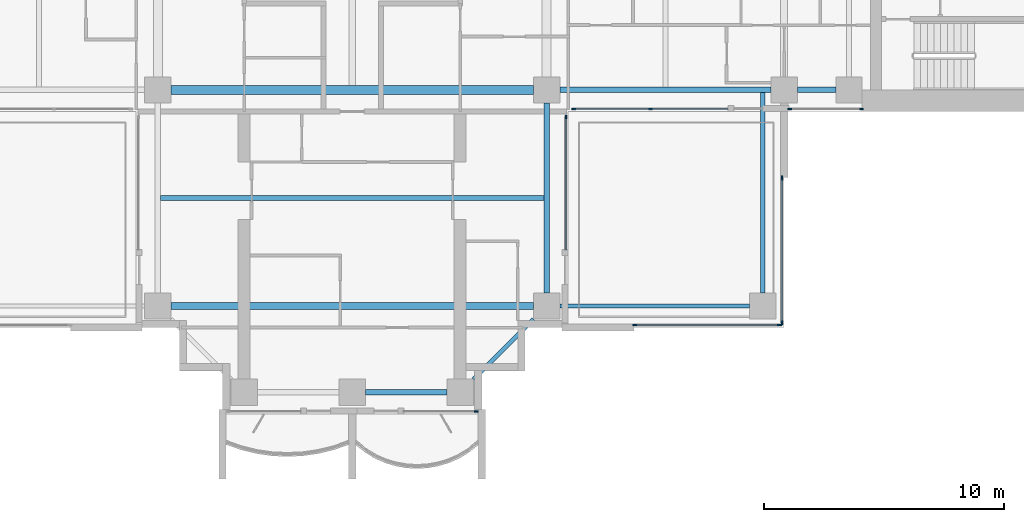
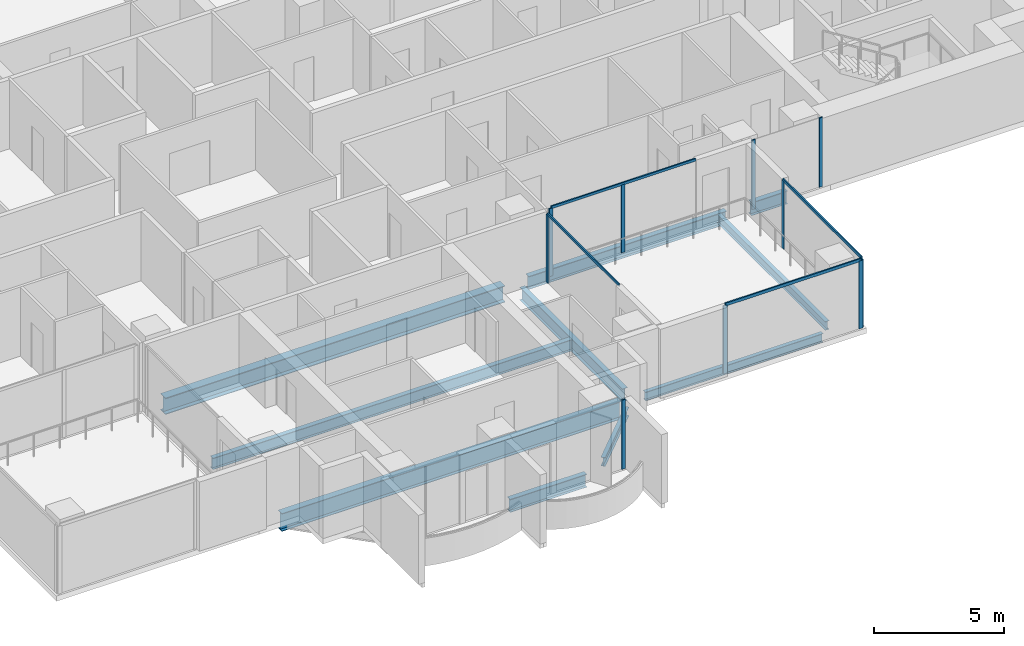
# One storey, part 3 of 19: 14 members, 10 beams, 6 elements without a shape of their own.
"""IFC4 building model written with IfcOpenShell, lengths in metres."""

from ifc_helpers import new_model, si_unit, direction, frame, origin, origin_2d, place, context, subcontext, project, spatial, rectangle, i_section, extrude, material, material_profile, profile_set, type_object, element, aggregate, save


model = new_model("IFC4")

# Units and contexts
model_context = context("Model", 3, precision=1e-05, world=origin(), true_north=direction((0.0, 1.0)))
body_context = subcontext(model_context, "Body", "Model", "MODEL_VIEW")
ifc_project = project(units=[si_unit("LENGTHUNIT", "METRE"), si_unit("AREAUNIT", "SQUARE_METRE"), si_unit("VOLUMEUNIT", "CUBIC_METRE"), si_unit("PLANEANGLEUNIT", "RADIAN"), si_unit("MASSUNIT", "GRAM", prefix="KILO")], contexts=[model_context])

# Site, building, storey
site_placement = place(None, origin())
site = spatial("IfcSite", under=ifc_project, at=site_placement, CompositionType="ELEMENT")
building_placement = place(site_placement, origin())
building = spatial("IfcBuilding", under=site, at=building_placement, Name="Perihelion Cross Residences", CompositionType="ELEMENT")
storey_placement = place(building_placement, frame((0.0, 0.0, 112.89990234375)))
storey = spatial("IfcBuildingStorey", under=building, at=storey_placement, Name="L26", CompositionType="ELEMENT", Elevation=112.89990234375)

# Curtain wall, member
ifc_material_1 = material(Name="Bronze anodised aluminium, tinted glazing", Category="aluminium")
curtain_wall_type_1 = type_object("IfcCurtainWallType", Name="CW1", PredefinedType="NOTDEFINED", material=ifc_material_1)
curtain_wall_1_placement = place(storey_placement, origin())
curtain_wall_1 = element("IfcCurtainWall", 1, at=curtain_wall_1_placement, inside=storey, type_object=curtain_wall_type_1, Name="Curtain wall CW1 L26 south tip south bay 2", PredefinedType="NOTDEFINED")
ifc_material_2 = material(Name="Bronze anodised aluminium", Category="aluminium")
ifc_material_profile_1 = material_profile(ifc_material_2, rectangle(XDim=0.06005859375, YDim=0.159912109375, at=origin_2d()), Name="CW1 mullion")
ifc_profile_set_1 = profile_set([ifc_material_profile_1], Name="Bronze anodised aluminium")
member_type_1 = type_object("IfcMemberType", Name="CW1 mullion", PredefinedType="MULLION", material=ifc_profile_set_1)
member_1_placement = place(storey_placement, frame((5.169921875, -21.5, 0.0), z_axis=(0.0, 0.0, 1.0), x_axis=(0.0, 1.0, 0.0)))
member_1 = element("IfcMember", 2, at=member_1_placement, type_object=member_type_1, Name="CW1 mullion 2", PredefinedType="MULLION", context=body_context, shape_type="SweptSolid", body=[
    extrude(rectangle(XDim=0.06005859375, YDim=0.159912109375, at=origin_2d()), origin(), (0.0, 0.0, 1.0), 3.25),
])
aggregate(curtain_wall_1, [member_1])

curtain_wall_2_placement = place(storey_placement, origin())
curtain_wall_2 = element("IfcCurtainWall", 3, at=curtain_wall_2_placement, inside=storey, type_object=curtain_wall_type_1, Name="Curtain wall CW1 L26 south side east bay 1", PredefinedType="NOTDEFINED")
member_2_placement = place(storey_placement, frame((8.89990234375, -9.22998046875, 0.0), z_axis=(0.0, 0.0, 1.0), x_axis=(-1.0, 0.0, 0.0)))
member_2 = element("IfcMember", 4, at=member_2_placement, type_object=member_type_1, Name="CW1 mullion 2", PredefinedType="MULLION", context=body_context, shape_type="SweptSolid", body=[
    extrude(rectangle(XDim=0.06005859375, YDim=0.159912109375, at=origin_2d()), origin(), (0.0, 0.0, 1.0), 3.190185546875),
])

# Curtain wall, members
curtain_wall_3_placement = place(storey_placement, origin())
curtain_wall_3 = element("IfcCurtainWall", 5, at=curtain_wall_3_placement, inside=storey, type_object=curtain_wall_type_1, Name="Curtain wall CW1 L26 east side south bay 1", PredefinedType="NOTDEFINED")
member_3_placement = place(storey_placement, frame((9.22998046875, -8.89990234375, 0.0), z_axis=(0.0, 0.0, 1.0), x_axis=(0.0, 1.0, 0.0)))
member_3 = element("IfcMember", 6, at=member_3_placement, type_object=member_type_1, Name="CW1 mullion 1", PredefinedType="MULLION", context=body_context, shape_type="SweptSolid", body=[
    extrude(rectangle(XDim=0.06005859375, YDim=0.159912109375, at=origin_2d()), origin(), (0.0, 0.0, 1.0), 3.190185546875),
])
member_4_placement = place(storey_placement, frame((12.425048828125, -8.89990234375, 0.0), z_axis=(0.0, 0.0, 1.0), x_axis=(0.0, 1.0, 0.0)))
member_4 = element("IfcMember", 7, at=member_4_placement, type_object=member_type_1, Name="CW1 mullion 2", PredefinedType="MULLION", context=body_context, shape_type="SweptSolid", body=[
    extrude(rectangle(XDim=0.06005859375, YDim=0.159912109375, at=origin_2d()), origin(), (0.0, 0.0, 1.0), 3.190185546875),
])

curtain_wall_4_placement = place(storey_placement, origin())
curtain_wall_4 = element("IfcCurtainWall", 8, at=curtain_wall_4_placement, inside=storey, type_object=curtain_wall_type_1, Name="Curtain wall CW1 L26 east side south bay 2", PredefinedType="NOTDEFINED")
member_5_placement = place(storey_placement, frame((18.22998046875, -8.89990234375, 0.0), z_axis=(0.0, 0.0, 1.0), x_axis=(0.0, 1.0, 0.0)))
member_5 = element("IfcMember", 9, at=member_5_placement, type_object=member_type_1, Name="CW1 mullion 1", PredefinedType="MULLION", context=body_context, shape_type="SweptSolid", body=[
    extrude(rectangle(XDim=0.06005859375, YDim=0.159912109375, at=origin_2d()), origin(), (0.0, 0.0, 1.0), 3.25),
])
member_6_placement = place(storey_placement, frame((21.219970703125, -8.89990234375, 0.0), z_axis=(0.0, 0.0, 1.0), x_axis=(0.0, 1.0, 0.0)))
member_6 = element("IfcMember", 10, at=member_6_placement, type_object=member_type_1, Name="CW1 mullion 2", PredefinedType="MULLION", context=body_context, shape_type="SweptSolid", body=[
    extrude(rectangle(XDim=0.06005859375, YDim=0.159912109375, at=origin_2d()), origin(), (0.0, 0.0, 1.0), 3.25),
])
aggregate(curtain_wall_4, [member_5, member_6])

# Member
ifc_material_3 = material(Name="Bronze anodised aluminium", Category="aluminium")
ifc_material_profile_2 = material_profile(ifc_material_3, rectangle(XDim=0.06005859375, YDim=0.1201171875, at=origin_2d()), Name="CW1 transom")
ifc_profile_set_2 = profile_set([ifc_material_profile_2], Name="Bronze anodised aluminium")
member_type_2 = type_object("IfcMemberType", Name="CW1 transom", PredefinedType="USERDEFINED", material=ifc_profile_set_2)
member_7_placement = place(storey_placement, frame((8.89990234375, -14.75, 3.22021484375), z_axis=(0.0, 1.0, 0.0), x_axis=(-1.0, 0.0, 0.0)))
member_7 = element("IfcMember", 11, at=member_7_placement, type_object=member_type_2, Name="CW1 head transom", ObjectType="TRANSOM", PredefinedType="USERDEFINED", context=body_context, shape_type="SweptSolid", body=[
    extrude(rectangle(XDim=0.06005859375, YDim=0.1201171875, at=origin_2d()), origin(), (0.0, 0.0, 1.0), 5.52001953125),
])

aggregate(curtain_wall_2, [member_2, member_7])

member_8_placement = place(storey_placement, frame((9.22998046875, -8.89990234375, 3.22021484375), z_axis=(1.0, 0.0, 0.0), x_axis=(0.0, 1.0, 0.0)))
member_8 = element("IfcMember", 12, at=member_8_placement, type_object=member_type_2, Name="CW1 head transom", ObjectType="TRANSOM", PredefinedType="USERDEFINED", context=body_context, shape_type="SweptSolid", body=[
    extrude(rectangle(XDim=0.06005859375, YDim=0.1201171875, at=origin_2d()), origin(), (0.0, 0.0, 1.0), 6.419921875),
])

aggregate(curtain_wall_3, [member_3, member_4, member_8])

# Curtain wall, members
ifc_material_4 = material(Name="Bronze anodised aluminium, tinted glazing", Category="aluminium")
curtain_wall_type_2 = type_object("IfcCurtainWallType", Name="CW4", PredefinedType="NOTDEFINED", material=ifc_material_4)
curtain_wall_5_placement = place(storey_placement, origin())
curtain_wall_5 = element("IfcCurtainWall", 13, at=curtain_wall_5_placement, inside=storey, type_object=curtain_wall_type_2, Name="Curtain wall CW4 L26 pocket south-east 1 1", PredefinedType="NOTDEFINED")
ifc_material_5 = material(Name="Bronze anodised aluminium", Category="aluminium")
ifc_material_profile_3 = material_profile(ifc_material_5, rectangle(XDim=0.06005859375, YDim=0.179931640625, at=origin_2d()), Name="CW4 mullion")
ifc_profile_set_3 = profile_set([ifc_material_profile_3], Name="Bronze anodised aluminium")
member_type_3 = type_object("IfcMemberType", Name="CW4 mullion", PredefinedType="MULLION", material=ifc_profile_set_3)
member_9_placement = place(storey_placement, frame((17.89990234375, -11.77001953125, 0.0), z_axis=(0.0, 0.0, 1.0), x_axis=(1.0, 0.0, 0.0)))
member_9 = element("IfcMember", 14, at=member_9_placement, type_object=member_type_3, Name="CW4 mullion 1", PredefinedType="MULLION", context=body_context, shape_type="SweptSolid", body=[
    extrude(rectangle(XDim=0.06005859375, YDim=0.179931640625, at=origin_2d()), origin(), (0.0, 0.0, 1.0), 3.190185546875),
])
member_10_placement = place(storey_placement, frame((17.89990234375, -17.800048828125, 0.0), z_axis=(0.0, 0.0, 1.0), x_axis=(1.0, 0.0, 0.0)))
member_10 = element("IfcMember", 15, at=member_10_placement, type_object=member_type_3, Name="CW4 mullion 2", PredefinedType="MULLION", context=body_context, shape_type="SweptSolid", body=[
    extrude(rectangle(XDim=0.06005859375, YDim=0.179931640625, at=origin_2d()), origin(), (0.0, 0.0, 1.0), 3.190185546875),
])

curtain_wall_6_placement = place(storey_placement, origin())
curtain_wall_6 = element("IfcCurtainWall", 16, at=curtain_wall_6_placement, inside=storey, type_object=curtain_wall_type_2, Name="Curtain wall CW4 L26 pocket south-east 1 2", PredefinedType="NOTDEFINED")
member_11_placement = place(storey_placement, frame((17.800048828125, -17.89990234375, 0.0), z_axis=(0.0, 0.0, 1.0), x_axis=(0.0, -1.0, 0.0)))
member_11 = element("IfcMember", 17, at=member_11_placement, type_object=member_type_3, Name="CW4 mullion 1", PredefinedType="MULLION", context=body_context, shape_type="SweptSolid", body=[
    extrude(rectangle(XDim=0.06005859375, YDim=0.179931640625, at=origin_2d()), origin(), (0.0, 0.0, 1.0), 3.190185546875),
])
member_12_placement = place(storey_placement, frame((11.77001953125, -17.89990234375, 0.0), z_axis=(0.0, 0.0, 1.0), x_axis=(0.0, -1.0, 0.0)))
member_12 = element("IfcMember", 18, at=member_12_placement, type_object=member_type_3, Name="CW4 mullion 2", PredefinedType="MULLION", context=body_context, shape_type="SweptSolid", body=[
    extrude(rectangle(XDim=0.06005859375, YDim=0.179931640625, at=origin_2d()), origin(), (0.0, 0.0, 1.0), 3.190185546875),
])

# Member
ifc_material_6 = material(Name="Bronze anodised aluminium", Category="aluminium")
ifc_material_profile_4 = material_profile(ifc_material_6, rectangle(XDim=0.06005859375, YDim=0.139892578125, at=origin_2d()), Name="CW4 transom")
ifc_profile_set_4 = profile_set([ifc_material_profile_4], Name="Bronze anodised aluminium")
member_type_4 = type_object("IfcMemberType", Name="CW4 transom", PredefinedType="USERDEFINED", material=ifc_profile_set_4)
member_13_placement = place(storey_placement, frame((17.89990234375, -11.77001953125, 3.22021484375), z_axis=(0.0, -1.0, 0.0), x_axis=(1.0, 0.0, 0.0)))
member_13 = element("IfcMember", 19, at=member_13_placement, type_object=member_type_4, Name="CW4 head transom", ObjectType="TRANSOM", PredefinedType="USERDEFINED", context=body_context, shape_type="SweptSolid", body=[
    extrude(rectangle(XDim=0.06005859375, YDim=0.139892578125, at=origin_2d()), origin(), (0.0, 0.0, 1.0), 6.030029296875),
])

aggregate(curtain_wall_5, [member_9, member_10, member_13])

member_14_placement = place(storey_placement, frame((17.800048828125, -17.89990234375, 3.22021484375), z_axis=(-1.0, 0.0, 0.0), x_axis=(0.0, -1.0, 0.0)))
member_14 = element("IfcMember", 20, at=member_14_placement, type_object=member_type_4, Name="CW4 head transom", ObjectType="TRANSOM", PredefinedType="USERDEFINED", context=body_context, shape_type="SweptSolid", body=[
    extrude(rectangle(XDim=0.06005859375, YDim=0.139892578125, at=origin_2d()), origin(), (0.0, 0.0, 1.0), 6.030029296875),
])

aggregate(curtain_wall_6, [member_11, member_12, member_14])

# Beams
ifc_material_7 = material(Name="Steel S355", Category="steel")
ifc_material_profile_5 = material_profile(ifc_material_7, i_section(OverallWidth=0.177978515625, OverallDepth=0.406005859375, WebThickness=0.0078125, FlangeThickness=0.0126953125, at=origin_2d()), Name="W410x60")
ifc_profile_set_5 = profile_set([ifc_material_profile_5], Name="Steel S355")
beam_type_1 = type_object("IfcBeamType", Name="Core edge beam W410x60", PredefinedType="BEAM", material=ifc_profile_set_5)
beam_1_placement = place(storey_placement, frame((17.10009765625, -8.214599609375, -0.452880859375), z_axis=(0.0, -1.0, 0.0), x_axis=(1.0, 0.0, 0.0)))
element("IfcBeam", 21, at=beam_1_placement, inside=storey, type_object=beam_type_1, Name="Core edge beam TB2 L26 corner no. 5", PredefinedType="BEAM", context=body_context, shape_type="SweptSolid", body=[
    extrude(i_section(OverallWidth=0.177978515625, OverallDepth=0.406005859375, WebThickness=0.0078125, FlangeThickness=0.0126953125, at=origin_2d()), origin(), (0.0, 0.0, 1.0), 8.33544921875),
])
beam_2_placement = place(storey_placement, frame((8.64990234375, -17.10009765625, -0.452880859375), z_axis=(1.0, 0.0, 0.0), x_axis=(0.0, 1.0, 0.0)))
element("IfcBeam", 22, at=beam_2_placement, inside=storey, type_object=beam_type_1, Name="Core edge beam TB2 L26 corner no. 6", PredefinedType="BEAM", context=body_context, shape_type="SweptSolid", body=[
    extrude(i_section(OverallWidth=0.177978515625, OverallDepth=0.406005859375, WebThickness=0.0078125, FlangeThickness=0.0126953125, at=origin_2d()), origin(), (0.0, 0.0, 1.0), 7.900146484375),
])
ifc_material_8 = material(Name="Steel S355", Category="steel")
ifc_material_profile_6 = material_profile(ifc_material_8, i_section(OverallWidth=0.22900390625, OverallDepth=0.612060546875, WebThickness=0.011962890625, FlangeThickness=0.01953125, at=origin_2d()), Name="W610x125")
ifc_profile_set_6 = profile_set([ifc_material_profile_6], Name="Steel S355")
beam_type_2 = type_object("IfcBeamType", Name="Edge beam W610x125", PredefinedType="SPANDREL", material=ifc_profile_set_6)
beam_3_placement = place(storey_placement, frame((0.550048828125, -20.699951171875, -0.555908203125), z_axis=(1.0, 0.0, 0.0), x_axis=(0.0, 1.0, 0.0)))
element("IfcBeam", 23, at=beam_3_placement, inside=storey, type_object=beam_type_2, Name="Edge beam SB3 L26 no. 9", PredefinedType="SPANDREL", context=body_context, shape_type="SweptSolid", body=[
    extrude(i_section(OverallWidth=0.22900390625, OverallDepth=0.612060546875, WebThickness=0.011962890625, FlangeThickness=0.01953125, at=origin_2d()), origin(), (0.0, 0.0, 1.0), 3.39990234375),
])
beam_4_placement = place(storey_placement, frame((8.10009765625, -16.550048828125, -0.555908203125), z_axis=(0.0, 1.0, 0.0), x_axis=(-1.0, 0.0, 0.0)))
element("IfcBeam", 24, at=beam_4_placement, inside=storey, type_object=beam_type_2, Name="Edge beam SB3 L26 no. 15", PredefinedType="SPANDREL", context=body_context, shape_type="SweptSolid", body=[
    extrude(i_section(OverallWidth=0.22900390625, OverallDepth=0.612060546875, WebThickness=0.011962890625, FlangeThickness=0.01953125, at=origin_2d()), origin(), (0.0, 0.0, 1.0), 7.900146484375),
])
beam_5_placement = place(storey_placement, frame((8.64990234375, -8.10009765625, -0.555908203125), z_axis=(1.0, 0.0, 0.0), x_axis=(0.0, 1.0, 0.0)))
element("IfcBeam", 25, at=beam_5_placement, inside=storey, type_object=beam_type_2, Name="Edge beam SB3 L26 no. 16", PredefinedType="SPANDREL", context=body_context, shape_type="SweptSolid", body=[
    extrude(i_section(OverallWidth=0.22900390625, OverallDepth=0.612060546875, WebThickness=0.011962890625, FlangeThickness=0.01953125, at=origin_2d()), origin(), (0.0, 0.0, 1.0), 8.800048828125),
])
beam_6_placement = place(storey_placement, frame((18.550048828125, -8.10009765625, -0.555908203125), z_axis=(1.0, 0.0, 0.0), x_axis=(0.0, 1.0, 0.0)))
element("IfcBeam", 26, at=beam_6_placement, inside=storey, type_object=beam_type_2, Name="Edge beam SB3 L26 no. 11", PredefinedType="SPANDREL", context=body_context, shape_type="SweptSolid", body=[
    extrude(i_section(OverallWidth=0.22900390625, OverallDepth=0.612060546875, WebThickness=0.011962890625, FlangeThickness=0.01953125, at=origin_2d()), origin(), (0.0, 0.0, 1.0), 1.599853515625),
])
ifc_material_9 = material(Name="Steel S355", Category="steel")
ifc_material_profile_7 = material_profile(ifc_material_9, i_section(OverallWidth=0.2919921875, OverallDepth=0.8359375, WebThickness=0.013916015625, FlangeThickness=0.018798828125, at=origin_2d()), Name="W840x176")
ifc_profile_set_7 = profile_set([ifc_material_profile_7], Name="Steel S355")
beam_type_3 = type_object("IfcBeamType", Name="Floor girder W840x176", PredefinedType="BEAM", material=ifc_profile_set_7)
beam_7_placement = place(storey_placement, frame((-7.550048828125, -17.10009765625, -0.66796875), z_axis=(1.0, 0.0, 0.0), x_axis=(0.0, 1.0, 0.0)))
element("IfcBeam", 27, at=beam_7_placement, inside=storey, type_object=beam_type_3, Name="Girder G3 L26 no. 3", PredefinedType="BEAM", context=body_context, shape_type="SweptSolid", body=[
    extrude(i_section(OverallWidth=0.2919921875, OverallDepth=0.8359375, WebThickness=0.013916015625, FlangeThickness=0.018798828125, at=origin_2d()), origin(), (0.0, 0.0, 1.0), 15.10009765625),
])
ifc_material_10 = material(Name="Steel S355", Category="steel")
ifc_material_profile_8 = material_profile(ifc_material_10, i_section(OverallWidth=0.208984375, OverallDepth=0.532958984375, WebThickness=0.01025390625, FlangeThickness=0.015625, at=origin_2d()), Name="W530x92")
ifc_profile_set_8 = profile_set([ifc_material_profile_8], Name="Steel S355")
beam_type_4 = type_object("IfcBeamType", Name="Floor joist W530x92", PredefinedType="JOIST", material=ifc_profile_set_8)
beam_8_placement = place(storey_placement, frame((-7.985595703125, -12.60009765625, -0.516357421875), z_axis=(1.0, 0.0, 0.0), x_axis=(0.0, 1.0, 0.0)))
element("IfcBeam", 28, at=beam_8_placement, inside=storey, type_object=beam_type_4, Name="Joist J4 L26 no. 3", PredefinedType="JOIST", context=body_context, shape_type="SweptSolid", body=[
    extrude(i_section(OverallWidth=0.208984375, OverallDepth=0.532958984375, WebThickness=0.01025390625, FlangeThickness=0.015625, at=origin_2d()), origin(), (0.0, 0.0, 1.0), 15.97119140625),
])
ifc_material_11 = material(Name="Steel S355", Category="steel")
ifc_material_profile_9 = material_profile(ifc_material_11, i_section(OverallWidth=0.381103515625, OverallDepth=0.77197265625, WebThickness=0.0166015625, FlangeThickness=0.027099609375, at=origin_2d()), Name="W760x257")
ifc_profile_set_9 = profile_set([ifc_material_profile_9], Name="Steel S355")
beam_type_5 = type_object("IfcBeamType", Name="Hub ring girder W760x257", PredefinedType="BEAM", material=ifc_profile_set_9)
beam_9_placement = place(storey_placement, frame((-7.550048828125, -8.10009765625, -0.635986328125), z_axis=(1.0, 0.0, 0.0), x_axis=(0.0, 1.0, 0.0)))
element("IfcBeam", 29, at=beam_9_placement, inside=storey, type_object=beam_type_5, Name="Hub ring girder RG3 L26 no. 1", PredefinedType="BEAM", context=body_context, shape_type="SweptSolid", body=[
    extrude(i_section(OverallWidth=0.381103515625, OverallDepth=0.77197265625, WebThickness=0.0166015625, FlangeThickness=0.027099609375, at=origin_2d()), origin(), (0.0, 0.0, 1.0), 15.10009765625),
])
ifc_material_12 = material(Name="Steel S355", Category="steel")
ifc_material_profile_10 = material_profile(ifc_material_12, i_section(OverallWidth=0.180908203125, OverallDepth=0.4169921875, WebThickness=0.010986328125, FlangeThickness=0.018310546875, at=origin_2d()), Name="W410x85")
ifc_profile_set_10 = profile_set([ifc_material_profile_10], Name="Steel S355")
beam_type_6 = type_object("IfcBeamType", Name="Serration edge beam W410x85", PredefinedType="BEAM", material=ifc_profile_set_10)
beam_10_placement = place(storey_placement, frame((5.050048828125, -20.14990234375, -0.45849609375), z_axis=(0.707106781187, 0.707106781187, 0.0), x_axis=(-0.707106781187, 0.707106781187, 0.0)))
element("IfcBeam", 30, at=beam_10_placement, inside=storey, type_object=beam_type_6, Name="Serration edge beam EB3 L26 no. 3", PredefinedType="BEAM", context=body_context, shape_type="SweptSolid", body=[
    extrude(i_section(OverallWidth=0.180908203125, OverallDepth=0.4169921875, WebThickness=0.010986328125, FlangeThickness=0.018310546875, at=origin_2d()), origin(), (0.0, 0.0, 1.0), 3.53564453125),
])

save(model, "model.ifc")
